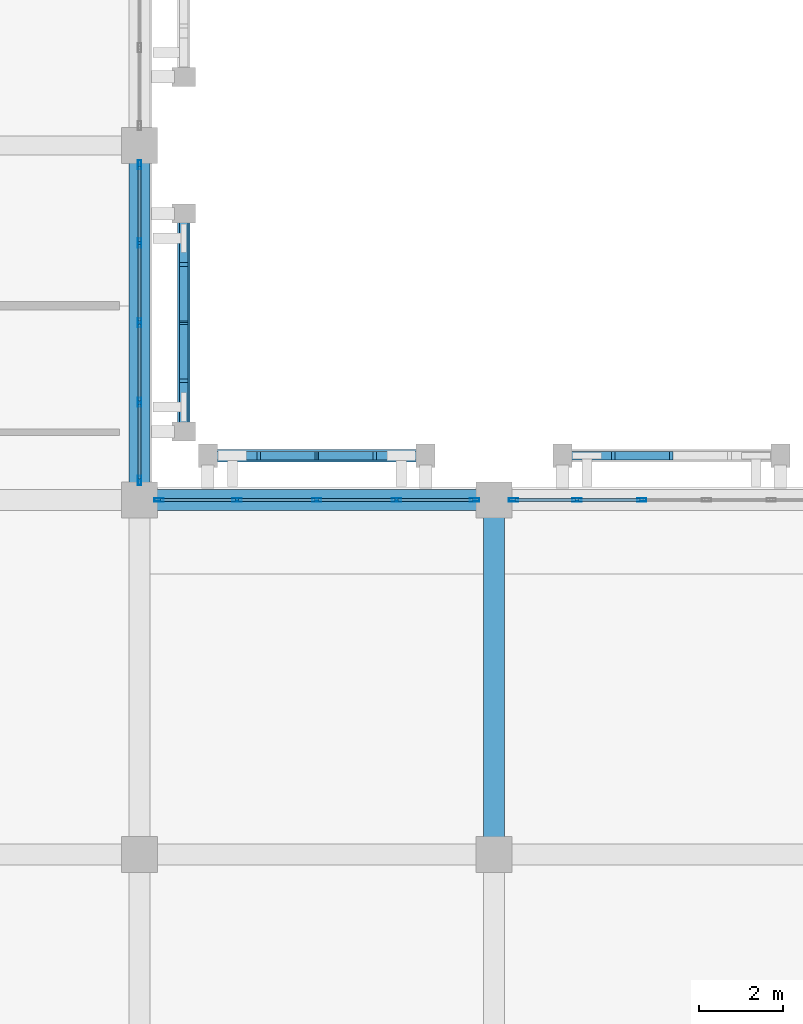
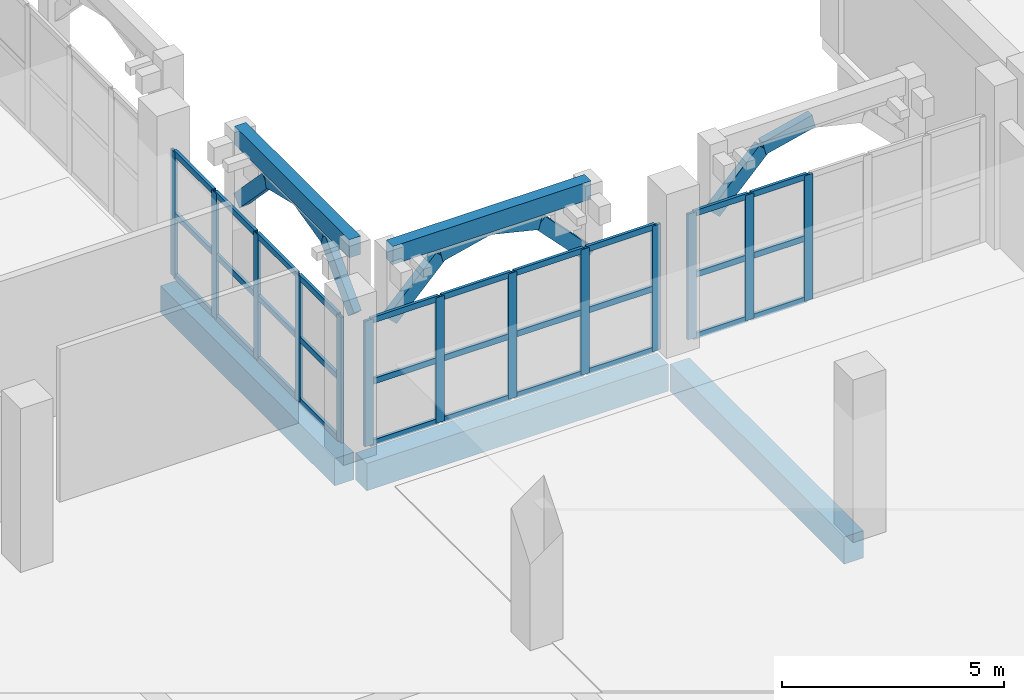
# One storey, part 50 of 129: 53 members, 5 beams, 3 elements without a shape of their own.
"""IFC4 building model written with IfcOpenShell, lengths in metres."""

from ifc_helpers import new_model, si_unit, direction, frame, origin, origin_2d, place, context, subcontext, project, spatial, rectangle, hollow_rectangle, extrude, material, layer, layer_set, material_profile, profile_set, type_object, element, aggregate, save


model = new_model("IFC4")

# Units and contexts
model_context = context("Model", 3, precision=1e-05, world=origin(), true_north=direction((0.0, 1.0)))
body_context = subcontext(model_context, "Body", "Model", "MODEL_VIEW")
ifc_project = project(units=[si_unit("LENGTHUNIT", "METRE"), si_unit("AREAUNIT", "SQUARE_METRE"), si_unit("VOLUMEUNIT", "CUBIC_METRE"), si_unit("PLANEANGLEUNIT", "RADIAN"), si_unit("MASSUNIT", "GRAM", prefix="KILO")], contexts=[model_context])

# Site, building, storey
site_placement = place(None, origin())
site = spatial("IfcSite", under=ifc_project, at=site_placement, CompositionType="ELEMENT")
building_placement = place(site_placement, origin())
building = spatial("IfcBuilding", under=site, at=building_placement, Name="Xazarin Passage Department Store", CompositionType="ELEMENT")
storey_placement = place(building_placement, frame((0.0, 0.0, 9.89990234375)))
storey = spatial("IfcBuildingStorey", under=building, at=storey_placement, Name="L02", CompositionType="ELEMENT", Elevation=9.89990234375)

# Curtain wall, members
ifc_material_1 = material(Name="Bronze anodised aluminium", Category="aluminium")
ifc_layer = layer(ifc_material_1, 0.199951171875)
ifc_layer_set = layer_set([ifc_layer], Name="Bronze anodised aluminium")
curtain_wall_type = type_object("IfcCurtainWallType", Name="ARC-CW-VIT2", PredefinedType="NOTDEFINED", material=ifc_layer_set)
curtain_wall_1_placement = place(storey_placement, origin())
curtain_wall_1 = element("IfcCurtainWall", 1, at=curtain_wall_1_placement, inside=storey, type_object=curtain_wall_type, Name="L02 V1 Curtain Wall 037", PredefinedType="NOTDEFINED")
ifc_material_profile_1 = material_profile(ifc_material_1, hollow_rectangle(XDim=0.074951171875, YDim=0.219970703125, WallThickness=0.0048828125, at=origin_2d()), Name="ALU 75x220")
ifc_profile_set_1 = profile_set([ifc_material_profile_1], Name="Bronze anodised aluminium")
member_type_1 = type_object("IfcMemberType", Name="ARC-CWM-75x220", PredefinedType="MULLION", material=ifc_profile_set_1)
member_1_placement = place(storey_placement, frame((50.862548828125, 84.800048828125, 0.0), z_axis=(0.0, 0.0, 1.0), x_axis=(0.0, 1.0, 0.0)))
member_1 = element("IfcMember", 2, at=member_1_placement, type_object=member_type_1, Name="CW2 mullion 1", PredefinedType="MULLION", context=body_context, shape_type="SweptSolid", body=[
    extrude(hollow_rectangle(XDim=0.074951171875, YDim=0.219970703125, WallThickness=0.0048828125, at=origin_2d()), origin(), (0.0, 0.0, 1.0), 3.4501953125),
])
member_2_placement = place(storey_placement, frame((52.71240234375, 84.800048828125, 0.0), z_axis=(0.0, 0.0, 1.0), x_axis=(0.0, 1.0, 0.0)))
member_2 = element("IfcMember", 3, at=member_2_placement, type_object=member_type_1, Name="CW2 mullion 2", PredefinedType="MULLION", context=body_context, shape_type="SweptSolid", body=[
    extrude(hollow_rectangle(XDim=0.074951171875, YDim=0.219970703125, WallThickness=0.0048828125, at=origin_2d()), origin(), (0.0, 0.0, 1.0), 3.4501953125),
])
member_3_placement = place(storey_placement, frame((54.60009765625, 84.800048828125, 0.0), z_axis=(0.0, 0.0, 1.0), x_axis=(0.0, 1.0, 0.0)))
member_3 = element("IfcMember", 4, at=member_3_placement, type_object=member_type_1, Name="CW2 mullion 3", PredefinedType="MULLION", context=body_context, shape_type="SweptSolid", body=[
    extrude(hollow_rectangle(XDim=0.074951171875, YDim=0.219970703125, WallThickness=0.0048828125, at=origin_2d()), origin(), (0.0, 0.0, 1.0), 3.4501953125),
])
member_4_placement = place(storey_placement, frame((56.487548828125, 84.800048828125, 0.0), z_axis=(0.0, 0.0, 1.0), x_axis=(0.0, 1.0, 0.0)))
member_4 = element("IfcMember", 5, at=member_4_placement, type_object=member_type_1, Name="CW2 mullion 4", PredefinedType="MULLION", context=body_context, shape_type="SweptSolid", body=[
    extrude(hollow_rectangle(XDim=0.074951171875, YDim=0.219970703125, WallThickness=0.0048828125, at=origin_2d()), origin(), (0.0, 0.0, 1.0), 3.4501953125),
])
member_5_placement = place(storey_placement, frame((58.33740234375, 84.800048828125, 0.0), z_axis=(0.0, 0.0, 1.0), x_axis=(0.0, 1.0, 0.0)))
member_5 = element("IfcMember", 6, at=member_5_placement, type_object=member_type_1, Name="CW2 mullion 5", PredefinedType="MULLION", context=body_context, shape_type="SweptSolid", body=[
    extrude(hollow_rectangle(XDim=0.074951171875, YDim=0.219970703125, WallThickness=0.0048828125, at=origin_2d()), origin(), (0.0, 0.0, 1.0), 3.4501953125),
])

curtain_wall_2_placement = place(storey_placement, origin())
curtain_wall_2 = element("IfcCurtainWall", 7, at=curtain_wall_2_placement, inside=storey, type_object=curtain_wall_type, Name="L02 V1 Curtain Wall 038", PredefinedType="NOTDEFINED")
member_6_placement = place(storey_placement, frame((59.262451171875, 84.800048828125, 0.0), z_axis=(0.0, 0.0, 1.0), x_axis=(0.0, 1.0, 0.0)))
member_6 = element("IfcMember", 8, at=member_6_placement, type_object=member_type_1, Name="CW2 mullion 1", PredefinedType="MULLION", context=body_context, shape_type="SweptSolid", body=[
    extrude(hollow_rectangle(XDim=0.074951171875, YDim=0.219970703125, WallThickness=0.0048828125, at=origin_2d()), origin(), (0.0, 0.0, 1.0), 3.4501953125),
])
member_7_placement = place(storey_placement, frame((60.760009765625, 84.800048828125, 0.0), z_axis=(0.0, 0.0, 1.0), x_axis=(0.0, 1.0, 0.0)))
member_7 = element("IfcMember", 9, at=member_7_placement, type_object=member_type_1, Name="CW2 mullion 2", PredefinedType="MULLION", context=body_context, shape_type="SweptSolid", body=[
    extrude(hollow_rectangle(XDim=0.074951171875, YDim=0.219970703125, WallThickness=0.0048828125, at=origin_2d()), origin(), (0.0, 0.0, 1.0), 3.4501953125),
])
member_8_placement = place(storey_placement, frame((62.294921875, 84.800048828125, 0.0), z_axis=(0.0, 0.0, 1.0), x_axis=(0.0, 1.0, 0.0)))
member_8 = element("IfcMember", 10, at=member_8_placement, type_object=member_type_1, Name="CW2 mullion 3", PredefinedType="MULLION", context=body_context, shape_type="SweptSolid", body=[
    extrude(hollow_rectangle(XDim=0.074951171875, YDim=0.219970703125, WallThickness=0.0048828125, at=origin_2d()), origin(), (0.0, 0.0, 1.0), 3.4501953125),
])

curtain_wall_3_placement = place(storey_placement, origin())
curtain_wall_3 = element("IfcCurtainWall", 11, at=curtain_wall_3_placement, inside=storey, type_object=curtain_wall_type, Name="L02 V1 Curtain Wall 052", PredefinedType="NOTDEFINED")
member_9_placement = place(storey_placement, frame((50.39990234375, 85.262451171875, 0.0), z_axis=(0.0, 0.0, 1.0), x_axis=(-1.0, 0.0, 0.0)))
member_9 = element("IfcMember", 12, at=member_9_placement, type_object=member_type_1, Name="CW2 mullion 1", PredefinedType="MULLION", context=body_context, shape_type="SweptSolid", body=[
    extrude(hollow_rectangle(XDim=0.074951171875, YDim=0.219970703125, WallThickness=0.0048828125, at=origin_2d()), origin(), (0.0, 0.0, 1.0), 3.4501953125),
])
member_10_placement = place(storey_placement, frame((50.39990234375, 87.112548828125, 0.0), z_axis=(0.0, 0.0, 1.0), x_axis=(-1.0, 0.0, 0.0)))
member_10 = element("IfcMember", 13, at=member_10_placement, type_object=member_type_1, Name="CW2 mullion 2", PredefinedType="MULLION", context=body_context, shape_type="SweptSolid", body=[
    extrude(hollow_rectangle(XDim=0.074951171875, YDim=0.219970703125, WallThickness=0.0048828125, at=origin_2d()), origin(), (0.0, 0.0, 1.0), 3.4501953125),
])
member_11_placement = place(storey_placement, frame((50.39990234375, 89.0, 0.0), z_axis=(0.0, 0.0, 1.0), x_axis=(-1.0, 0.0, 0.0)))
member_11 = element("IfcMember", 14, at=member_11_placement, type_object=member_type_1, Name="CW2 mullion 3", PredefinedType="MULLION", context=body_context, shape_type="SweptSolid", body=[
    extrude(hollow_rectangle(XDim=0.074951171875, YDim=0.219970703125, WallThickness=0.0048828125, at=origin_2d()), origin(), (0.0, 0.0, 1.0), 3.4501953125),
])
member_12_placement = place(storey_placement, frame((50.39990234375, 90.887451171875, 0.0), z_axis=(0.0, 0.0, 1.0), x_axis=(-1.0, 0.0, 0.0)))
member_12 = element("IfcMember", 15, at=member_12_placement, type_object=member_type_1, Name="CW2 mullion 4", PredefinedType="MULLION", context=body_context, shape_type="SweptSolid", body=[
    extrude(hollow_rectangle(XDim=0.074951171875, YDim=0.219970703125, WallThickness=0.0048828125, at=origin_2d()), origin(), (0.0, 0.0, 1.0), 3.4501953125),
])
member_13_placement = place(storey_placement, frame((50.39990234375, 92.737548828125, 0.0), z_axis=(0.0, 0.0, 1.0), x_axis=(-1.0, 0.0, 0.0)))
member_13 = element("IfcMember", 16, at=member_13_placement, type_object=member_type_1, Name="CW2 mullion 5", PredefinedType="MULLION", context=body_context, shape_type="SweptSolid", body=[
    extrude(hollow_rectangle(XDim=0.074951171875, YDim=0.219970703125, WallThickness=0.0048828125, at=origin_2d()), origin(), (0.0, 0.0, 1.0), 3.4501953125),
])

# Member
ifc_material_profile_2 = material_profile(ifc_material_1, hollow_rectangle(XDim=0.074951171875, YDim=0.159912109375, WallThickness=0.00439453125, at=origin_2d()), Name="ALU 75x160")
ifc_profile_set_2 = profile_set([ifc_material_profile_2], Name="Bronze anodised aluminium")
member_type_2 = type_object("IfcMemberType", Name="ARC-CWT-75x160", PredefinedType="USERDEFINED", material=ifc_profile_set_2)
member_14_placement = place(storey_placement, frame((50.89990234375, 84.800048828125, 0.03759765625), z_axis=(1.0, 0.0, 0.0), x_axis=(0.0, 1.0, 0.0)))
member_14 = element("IfcMember", 17, at=member_14_placement, type_object=member_type_2, Name="CW2 transom 1.1", ObjectType="TRANSOM", PredefinedType="USERDEFINED", context=body_context, shape_type="SweptSolid", body=[
    extrude(hollow_rectangle(XDim=0.074951171875, YDim=0.159912109375, WallThickness=0.00439453125, at=origin_2d()), origin(), (0.0, 0.0, 1.0), 1.775146484375),
])

member_15_placement = place(storey_placement, frame((50.89990234375, 84.800048828125, 1.72509765625), z_axis=(1.0, 0.0, 0.0), x_axis=(0.0, 1.0, 0.0)))
member_15 = element("IfcMember", 18, at=member_15_placement, type_object=member_type_2, Name="CW2 transom 1.2", ObjectType="TRANSOM", PredefinedType="USERDEFINED", context=body_context, shape_type="SweptSolid", body=[
    extrude(hollow_rectangle(XDim=0.074951171875, YDim=0.159912109375, WallThickness=0.00439453125, at=origin_2d()), origin(), (0.0, 0.0, 1.0), 1.775146484375),
])

member_16_placement = place(storey_placement, frame((50.89990234375, 84.800048828125, 3.41259765625), z_axis=(1.0, 0.0, 0.0), x_axis=(0.0, 1.0, 0.0)))
member_16 = element("IfcMember", 19, at=member_16_placement, type_object=member_type_2, Name="CW2 transom 1.3", ObjectType="TRANSOM", PredefinedType="USERDEFINED", context=body_context, shape_type="SweptSolid", body=[
    extrude(hollow_rectangle(XDim=0.074951171875, YDim=0.159912109375, WallThickness=0.00439453125, at=origin_2d()), origin(), (0.0, 0.0, 1.0), 1.775146484375),
])

member_17_placement = place(storey_placement, frame((52.75, 84.800048828125, 0.03759765625), z_axis=(1.0, 0.0, 0.0), x_axis=(0.0, 1.0, 0.0)))
member_17 = element("IfcMember", 20, at=member_17_placement, type_object=member_type_2, Name="CW2 transom 2.1", ObjectType="TRANSOM", PredefinedType="USERDEFINED", context=body_context, shape_type="SweptSolid", body=[
    extrude(hollow_rectangle(XDim=0.074951171875, YDim=0.159912109375, WallThickness=0.00439453125, at=origin_2d()), origin(), (0.0, 0.0, 1.0), 1.8125),
])

member_18_placement = place(storey_placement, frame((52.75, 84.800048828125, 1.72509765625), z_axis=(1.0, 0.0, 0.0), x_axis=(0.0, 1.0, 0.0)))
member_18 = element("IfcMember", 21, at=member_18_placement, type_object=member_type_2, Name="CW2 transom 2.2", ObjectType="TRANSOM", PredefinedType="USERDEFINED", context=body_context, shape_type="SweptSolid", body=[
    extrude(hollow_rectangle(XDim=0.074951171875, YDim=0.159912109375, WallThickness=0.00439453125, at=origin_2d()), origin(), (0.0, 0.0, 1.0), 1.8125),
])

member_19_placement = place(storey_placement, frame((52.75, 84.800048828125, 3.41259765625), z_axis=(1.0, 0.0, 0.0), x_axis=(0.0, 1.0, 0.0)))
member_19 = element("IfcMember", 22, at=member_19_placement, type_object=member_type_2, Name="CW2 transom 2.3", ObjectType="TRANSOM", PredefinedType="USERDEFINED", context=body_context, shape_type="SweptSolid", body=[
    extrude(hollow_rectangle(XDim=0.074951171875, YDim=0.159912109375, WallThickness=0.00439453125, at=origin_2d()), origin(), (0.0, 0.0, 1.0), 1.8125),
])

member_20_placement = place(storey_placement, frame((54.637451171875, 84.800048828125, 0.03759765625), z_axis=(1.0, 0.0, 0.0), x_axis=(0.0, 1.0, 0.0)))
member_20 = element("IfcMember", 23, at=member_20_placement, type_object=member_type_2, Name="CW2 transom 3.1", ObjectType="TRANSOM", PredefinedType="USERDEFINED", context=body_context, shape_type="SweptSolid", body=[
    extrude(hollow_rectangle(XDim=0.074951171875, YDim=0.159912109375, WallThickness=0.00439453125, at=origin_2d()), origin(), (0.0, 0.0, 1.0), 1.8125),
])

member_21_placement = place(storey_placement, frame((54.637451171875, 84.800048828125, 1.72509765625), z_axis=(1.0, 0.0, 0.0), x_axis=(0.0, 1.0, 0.0)))
member_21 = element("IfcMember", 24, at=member_21_placement, type_object=member_type_2, Name="CW2 transom 3.2", ObjectType="TRANSOM", PredefinedType="USERDEFINED", context=body_context, shape_type="SweptSolid", body=[
    extrude(hollow_rectangle(XDim=0.074951171875, YDim=0.159912109375, WallThickness=0.00439453125, at=origin_2d()), origin(), (0.0, 0.0, 1.0), 1.8125),
])

member_22_placement = place(storey_placement, frame((54.637451171875, 84.800048828125, 3.41259765625), z_axis=(1.0, 0.0, 0.0), x_axis=(0.0, 1.0, 0.0)))
member_22 = element("IfcMember", 25, at=member_22_placement, type_object=member_type_2, Name="CW2 transom 3.3", ObjectType="TRANSOM", PredefinedType="USERDEFINED", context=body_context, shape_type="SweptSolid", body=[
    extrude(hollow_rectangle(XDim=0.074951171875, YDim=0.159912109375, WallThickness=0.00439453125, at=origin_2d()), origin(), (0.0, 0.0, 1.0), 1.8125),
])

member_23_placement = place(storey_placement, frame((56.52490234375, 84.800048828125, 0.03759765625), z_axis=(1.0, 0.0, 0.0), x_axis=(0.0, 1.0, 0.0)))
member_23 = element("IfcMember", 26, at=member_23_placement, type_object=member_type_2, Name="CW2 transom 4.1", ObjectType="TRANSOM", PredefinedType="USERDEFINED", context=body_context, shape_type="SweptSolid", body=[
    extrude(hollow_rectangle(XDim=0.074951171875, YDim=0.159912109375, WallThickness=0.00439453125, at=origin_2d()), origin(), (0.0, 0.0, 1.0), 1.775146484375),
])

member_24_placement = place(storey_placement, frame((56.52490234375, 84.800048828125, 1.72509765625), z_axis=(1.0, 0.0, 0.0), x_axis=(0.0, 1.0, 0.0)))
member_24 = element("IfcMember", 27, at=member_24_placement, type_object=member_type_2, Name="CW2 transom 4.2", ObjectType="TRANSOM", PredefinedType="USERDEFINED", context=body_context, shape_type="SweptSolid", body=[
    extrude(hollow_rectangle(XDim=0.074951171875, YDim=0.159912109375, WallThickness=0.00439453125, at=origin_2d()), origin(), (0.0, 0.0, 1.0), 1.775146484375),
])

member_25_placement = place(storey_placement, frame((56.52490234375, 84.800048828125, 3.41259765625), z_axis=(1.0, 0.0, 0.0), x_axis=(0.0, 1.0, 0.0)))
member_25 = element("IfcMember", 28, at=member_25_placement, type_object=member_type_2, Name="CW2 transom 4.3", ObjectType="TRANSOM", PredefinedType="USERDEFINED", context=body_context, shape_type="SweptSolid", body=[
    extrude(hollow_rectangle(XDim=0.074951171875, YDim=0.159912109375, WallThickness=0.00439453125, at=origin_2d()), origin(), (0.0, 0.0, 1.0), 1.775146484375),
])

aggregate(curtain_wall_1, [member_1, member_2, member_3, member_4, member_5, member_14, member_15, member_16, member_17, member_18, member_19, member_20, member_21, member_22, member_23, member_24, member_25])

member_26_placement = place(storey_placement, frame((59.300048828125, 84.800048828125, 0.03759765625), z_axis=(1.0, 0.0, 0.0), x_axis=(0.0, 1.0, 0.0)))
member_26 = element("IfcMember", 29, at=member_26_placement, type_object=member_type_2, Name="CW2 transom 1.1", ObjectType="TRANSOM", PredefinedType="USERDEFINED", context=body_context, shape_type="SweptSolid", body=[
    extrude(hollow_rectangle(XDim=0.074951171875, YDim=0.159912109375, WallThickness=0.00439453125, at=origin_2d()), origin(), (0.0, 0.0, 1.0), 1.42236328125),
])

member_27_placement = place(storey_placement, frame((59.300048828125, 84.800048828125, 1.72509765625), z_axis=(1.0, 0.0, 0.0), x_axis=(0.0, 1.0, 0.0)))
member_27 = element("IfcMember", 30, at=member_27_placement, type_object=member_type_2, Name="CW2 transom 1.2", ObjectType="TRANSOM", PredefinedType="USERDEFINED", context=body_context, shape_type="SweptSolid", body=[
    extrude(hollow_rectangle(XDim=0.074951171875, YDim=0.159912109375, WallThickness=0.00439453125, at=origin_2d()), origin(), (0.0, 0.0, 1.0), 1.42236328125),
])

member_28_placement = place(storey_placement, frame((59.300048828125, 84.800048828125, 3.41259765625), z_axis=(1.0, 0.0, 0.0), x_axis=(0.0, 1.0, 0.0)))
member_28 = element("IfcMember", 31, at=member_28_placement, type_object=member_type_2, Name="CW2 transom 1.3", ObjectType="TRANSOM", PredefinedType="USERDEFINED", context=body_context, shape_type="SweptSolid", body=[
    extrude(hollow_rectangle(XDim=0.074951171875, YDim=0.159912109375, WallThickness=0.00439453125, at=origin_2d()), origin(), (0.0, 0.0, 1.0), 1.42236328125),
])

member_29_placement = place(storey_placement, frame((60.797607421875, 84.800048828125, 0.03759765625), z_axis=(1.0, 0.0, 0.0), x_axis=(0.0, 1.0, 0.0)))
member_29 = element("IfcMember", 32, at=member_29_placement, type_object=member_type_2, Name="CW2 transom 2.1", ObjectType="TRANSOM", PredefinedType="USERDEFINED", context=body_context, shape_type="SweptSolid", body=[
    extrude(hollow_rectangle(XDim=0.074951171875, YDim=0.159912109375, WallThickness=0.00439453125, at=origin_2d()), origin(), (0.0, 0.0, 1.0), 1.4599609375),
])

member_30_placement = place(storey_placement, frame((60.797607421875, 84.800048828125, 1.72509765625), z_axis=(1.0, 0.0, 0.0), x_axis=(0.0, 1.0, 0.0)))
member_30 = element("IfcMember", 33, at=member_30_placement, type_object=member_type_2, Name="CW2 transom 2.2", ObjectType="TRANSOM", PredefinedType="USERDEFINED", context=body_context, shape_type="SweptSolid", body=[
    extrude(hollow_rectangle(XDim=0.074951171875, YDim=0.159912109375, WallThickness=0.00439453125, at=origin_2d()), origin(), (0.0, 0.0, 1.0), 1.4599609375),
])

member_31_placement = place(storey_placement, frame((60.797607421875, 84.800048828125, 3.41259765625), z_axis=(1.0, 0.0, 0.0), x_axis=(0.0, 1.0, 0.0)))
member_31 = element("IfcMember", 34, at=member_31_placement, type_object=member_type_2, Name="CW2 transom 2.3", ObjectType="TRANSOM", PredefinedType="USERDEFINED", context=body_context, shape_type="SweptSolid", body=[
    extrude(hollow_rectangle(XDim=0.074951171875, YDim=0.159912109375, WallThickness=0.00439453125, at=origin_2d()), origin(), (0.0, 0.0, 1.0), 1.4599609375),
])

aggregate(curtain_wall_2, [member_6, member_7, member_8, member_26, member_27, member_28, member_29, member_30, member_31])

member_32_placement = place(storey_placement, frame((50.39990234375, 85.300048828125, 0.03759765625), z_axis=(0.0, 1.0, 0.0), x_axis=(-1.0, 0.0, 0.0)))
member_32 = element("IfcMember", 35, at=member_32_placement, type_object=member_type_2, Name="CW2 transom 1.1", ObjectType="TRANSOM", PredefinedType="USERDEFINED", context=body_context, shape_type="SweptSolid", body=[
    extrude(hollow_rectangle(XDim=0.074951171875, YDim=0.159912109375, WallThickness=0.00439453125, at=origin_2d()), origin(), (0.0, 0.0, 1.0), 1.77490234375),
])

member_33_placement = place(storey_placement, frame((50.39990234375, 85.300048828125, 1.72509765625), z_axis=(0.0, 1.0, 0.0), x_axis=(-1.0, 0.0, 0.0)))
member_33 = element("IfcMember", 36, at=member_33_placement, type_object=member_type_2, Name="CW2 transom 1.2", ObjectType="TRANSOM", PredefinedType="USERDEFINED", context=body_context, shape_type="SweptSolid", body=[
    extrude(hollow_rectangle(XDim=0.074951171875, YDim=0.159912109375, WallThickness=0.00439453125, at=origin_2d()), origin(), (0.0, 0.0, 1.0), 1.77490234375),
])

member_34_placement = place(storey_placement, frame((50.39990234375, 85.300048828125, 3.41259765625), z_axis=(0.0, 1.0, 0.0), x_axis=(-1.0, 0.0, 0.0)))
member_34 = element("IfcMember", 37, at=member_34_placement, type_object=member_type_2, Name="CW2 transom 1.3", ObjectType="TRANSOM", PredefinedType="USERDEFINED", context=body_context, shape_type="SweptSolid", body=[
    extrude(hollow_rectangle(XDim=0.074951171875, YDim=0.159912109375, WallThickness=0.00439453125, at=origin_2d()), origin(), (0.0, 0.0, 1.0), 1.77490234375),
])

member_35_placement = place(storey_placement, frame((50.39990234375, 87.14990234375, 0.03759765625), z_axis=(0.0, 1.0, 0.0), x_axis=(-1.0, 0.0, 0.0)))
member_35 = element("IfcMember", 38, at=member_35_placement, type_object=member_type_2, Name="CW2 transom 2.1", ObjectType="TRANSOM", PredefinedType="USERDEFINED", context=body_context, shape_type="SweptSolid", body=[
    extrude(hollow_rectangle(XDim=0.074951171875, YDim=0.159912109375, WallThickness=0.00439453125, at=origin_2d()), origin(), (0.0, 0.0, 1.0), 1.8125),
])

member_36_placement = place(storey_placement, frame((50.39990234375, 87.14990234375, 1.72509765625), z_axis=(0.0, 1.0, 0.0), x_axis=(-1.0, 0.0, 0.0)))
member_36 = element("IfcMember", 39, at=member_36_placement, type_object=member_type_2, Name="CW2 transom 2.2", ObjectType="TRANSOM", PredefinedType="USERDEFINED", context=body_context, shape_type="SweptSolid", body=[
    extrude(hollow_rectangle(XDim=0.074951171875, YDim=0.159912109375, WallThickness=0.00439453125, at=origin_2d()), origin(), (0.0, 0.0, 1.0), 1.8125),
])

member_37_placement = place(storey_placement, frame((50.39990234375, 87.14990234375, 3.41259765625), z_axis=(0.0, 1.0, 0.0), x_axis=(-1.0, 0.0, 0.0)))
member_37 = element("IfcMember", 40, at=member_37_placement, type_object=member_type_2, Name="CW2 transom 2.3", ObjectType="TRANSOM", PredefinedType="USERDEFINED", context=body_context, shape_type="SweptSolid", body=[
    extrude(hollow_rectangle(XDim=0.074951171875, YDim=0.159912109375, WallThickness=0.00439453125, at=origin_2d()), origin(), (0.0, 0.0, 1.0), 1.8125),
])

member_38_placement = place(storey_placement, frame((50.39990234375, 89.03759765625, 0.03759765625), z_axis=(0.0, 1.0, 0.0), x_axis=(-1.0, 0.0, 0.0)))
member_38 = element("IfcMember", 41, at=member_38_placement, type_object=member_type_2, Name="CW2 transom 3.1", ObjectType="TRANSOM", PredefinedType="USERDEFINED", context=body_context, shape_type="SweptSolid", body=[
    extrude(hollow_rectangle(XDim=0.074951171875, YDim=0.159912109375, WallThickness=0.00439453125, at=origin_2d()), origin(), (0.0, 0.0, 1.0), 1.8125),
])

member_39_placement = place(storey_placement, frame((50.39990234375, 89.03759765625, 1.72509765625), z_axis=(0.0, 1.0, 0.0), x_axis=(-1.0, 0.0, 0.0)))
member_39 = element("IfcMember", 42, at=member_39_placement, type_object=member_type_2, Name="CW2 transom 3.2", ObjectType="TRANSOM", PredefinedType="USERDEFINED", context=body_context, shape_type="SweptSolid", body=[
    extrude(hollow_rectangle(XDim=0.074951171875, YDim=0.159912109375, WallThickness=0.00439453125, at=origin_2d()), origin(), (0.0, 0.0, 1.0), 1.8125),
])

member_40_placement = place(storey_placement, frame((50.39990234375, 89.03759765625, 3.41259765625), z_axis=(0.0, 1.0, 0.0), x_axis=(-1.0, 0.0, 0.0)))
member_40 = element("IfcMember", 43, at=member_40_placement, type_object=member_type_2, Name="CW2 transom 3.3", ObjectType="TRANSOM", PredefinedType="USERDEFINED", context=body_context, shape_type="SweptSolid", body=[
    extrude(hollow_rectangle(XDim=0.074951171875, YDim=0.159912109375, WallThickness=0.00439453125, at=origin_2d()), origin(), (0.0, 0.0, 1.0), 1.8125),
])

member_41_placement = place(storey_placement, frame((50.39990234375, 90.925048828125, 0.03759765625), z_axis=(0.0, 1.0, 0.0), x_axis=(-1.0, 0.0, 0.0)))
member_41 = element("IfcMember", 44, at=member_41_placement, type_object=member_type_2, Name="CW2 transom 4.1", ObjectType="TRANSOM", PredefinedType="USERDEFINED", context=body_context, shape_type="SweptSolid", body=[
    extrude(hollow_rectangle(XDim=0.074951171875, YDim=0.159912109375, WallThickness=0.00439453125, at=origin_2d()), origin(), (0.0, 0.0, 1.0), 1.77490234375),
])

member_42_placement = place(storey_placement, frame((50.39990234375, 90.925048828125, 1.72509765625), z_axis=(0.0, 1.0, 0.0), x_axis=(-1.0, 0.0, 0.0)))
member_42 = element("IfcMember", 45, at=member_42_placement, type_object=member_type_2, Name="CW2 transom 4.2", ObjectType="TRANSOM", PredefinedType="USERDEFINED", context=body_context, shape_type="SweptSolid", body=[
    extrude(hollow_rectangle(XDim=0.074951171875, YDim=0.159912109375, WallThickness=0.00439453125, at=origin_2d()), origin(), (0.0, 0.0, 1.0), 1.77490234375),
])

member_43_placement = place(storey_placement, frame((50.39990234375, 90.925048828125, 3.41259765625), z_axis=(0.0, 1.0, 0.0), x_axis=(-1.0, 0.0, 0.0)))
member_43 = element("IfcMember", 46, at=member_43_placement, type_object=member_type_2, Name="CW2 transom 4.3", ObjectType="TRANSOM", PredefinedType="USERDEFINED", context=body_context, shape_type="SweptSolid", body=[
    extrude(hollow_rectangle(XDim=0.074951171875, YDim=0.159912109375, WallThickness=0.00439453125, at=origin_2d()), origin(), (0.0, 0.0, 1.0), 1.77490234375),
])

aggregate(curtain_wall_3, [member_9, member_10, member_11, member_12, member_13, member_32, member_33, member_34, member_35, member_36, member_37, member_38, member_39, member_40, member_41, member_42, member_43])

# Beams
ifc_material_2 = material(Name="Concrete C35/45", Category="concrete")
ifc_material_profile_3 = material_profile(ifc_material_2, rectangle(XDim=0.300048828125, YDim=0.5, at=origin_2d()), Name="RC 300x500")
ifc_profile_set_3 = profile_set([ifc_material_profile_3], Name="Concrete C35/45")
beam_type_1 = type_object("IfcBeamType", Name="STR-BM-LN300x500", PredefinedType="LINTEL", material=ifc_profile_set_3)
beam_1_placement = place(storey_placement, frame((52.02001953125, 85.85009765625, 4.25), z_axis=(1.0, 0.0, 0.0), x_axis=(0.0, 1.0, 0.0)))
element("IfcBeam", 47, at=beam_1_placement, inside=storey, type_object=beam_type_1, Name="L02 V1 Colonnade Spandrel Beam 005", PredefinedType="LINTEL", context=body_context, shape_type="SweptSolid", body=[
    extrude(rectangle(XDim=0.300048828125, YDim=0.5, at=origin_2d()), origin(), (0.0, 0.0, 1.0), 5.159912109375),
])
beam_2_placement = place(storey_placement, frame((51.449951171875, 86.419921875, 4.25), z_axis=(0.0, 1.0, 0.0), x_axis=(-1.0, 0.0, 0.0)))
element("IfcBeam", 48, at=beam_2_placement, inside=storey, type_object=beam_type_1, Name="L02 V1 Colonnade Spandrel Beam 014", PredefinedType="LINTEL", context=body_context, shape_type="SweptSolid", body=[
    extrude(rectangle(XDim=0.300048828125, YDim=0.5, at=origin_2d()), origin(), (0.0, 0.0, 1.0), 5.16015625),
])
ifc_material_profile_4 = material_profile(ifc_material_2, rectangle(XDim=0.5, YDim=0.75, at=origin_2d()), Name="RC 500x750")
ifc_profile_set_4 = profile_set([ifc_material_profile_4], Name="Concrete C35/45")
beam_type_2 = type_object("IfcBeamType", Name="STR-BM-SP500x750", PredefinedType="SPANDREL", material=ifc_profile_set_4)
beam_3_placement = place(storey_placement, frame((50.679931640625, 84.800048828125, -0.6748046875), z_axis=(1.0, 0.0, 0.0), x_axis=(0.0, 1.0, 0.0)))
element("IfcBeam", 49, at=beam_3_placement, inside=storey, type_object=beam_type_2, Name="L02 Grid Beam M/7-8", PredefinedType="SPANDREL", context=body_context, shape_type="SweptSolid", body=[
    extrude(rectangle(XDim=0.5, YDim=0.75, at=origin_2d()), origin(), (0.0, 0.0, 1.0), 7.840087890625),
])
beam_4_placement = place(storey_placement, frame((50.39990234375, 85.080078125, -0.6748046875), z_axis=(0.0, 1.0, 0.0), x_axis=(-1.0, 0.0, 0.0)))
element("IfcBeam", 50, at=beam_4_placement, inside=storey, type_object=beam_type_2, Name="L02 Grid Beam 7/M-N", PredefinedType="SPANDREL", context=body_context, shape_type="SweptSolid", body=[
    extrude(rectangle(XDim=0.5, YDim=0.75, at=origin_2d()), origin(), (0.0, 0.0, 1.0), 7.83984375),
])
beam_5_placement = place(storey_placement, frame((58.800048828125, 76.679931640625, -0.6748046875), z_axis=(0.0, 1.0, 0.0), x_axis=(-1.0, 0.0, 0.0)))
element("IfcBeam", 51, at=beam_5_placement, inside=storey, type_object=beam_type_2, Name="L02 Grid Beam 8/L-M", PredefinedType="SPANDREL", context=body_context, shape_type="SweptSolid", body=[
    extrude(rectangle(XDim=0.5, YDim=0.75, at=origin_2d()), origin(), (0.0, 0.0, 1.0), 7.840087890625),
])

# Members
ifc_material_3 = material(Name="Concrete C40/50", Category="concrete")
ifc_material_profile_5 = material_profile(ifc_material_3, rectangle(XDim=0.199951171875, YDim=0.360107421875, at=origin_2d()), Name="RC 200x360")
ifc_profile_set_5 = profile_set([ifc_material_profile_5], Name="Concrete C40/50")
member_type_3 = type_object("IfcMemberType", Name="STR-MEM-ARC360", PredefinedType="CHORD", material=ifc_profile_set_5)
member_44_placement = place(storey_placement, frame((52.02001953125, 85.85009765625, 2.43017578125), z_axis=(0.693460080602, 0.0, 0.720495049679), x_axis=(0.0, 1.0, 0.0)))
element("IfcMember", 52, at=member_44_placement, inside=storey, type_object=member_type_3, Name="L02 V1 Pierced Lattice Curved Arch 005.1", PredefinedType="CHORD", context=body_context, shape_type="SweptSolid", body=[
    extrude(rectangle(XDim=0.199951171875, YDim=0.360107421875, at=origin_2d()), origin(), (0.0, 0.0, 1.0), 1.8603515625),
])
member_45_placement = place(storey_placement, frame((53.31005859375, 85.85009765625, 3.7705078125), z_axis=(0.972393983317, 0.0, 0.233345111818), x_axis=(0.0, 1.0, 0.0)))
element("IfcMember", 53, at=member_45_placement, inside=storey, type_object=member_type_3, Name="L02 V1 Pierced Lattice Curved Arch 005.2", PredefinedType="CHORD", context=body_context, shape_type="SweptSolid", body=[
    extrude(rectangle(XDim=0.199951171875, YDim=0.360107421875, at=origin_2d()), origin(), (0.0, 0.0, 1.0), 1.32666015625),
])
member_46_placement = place(storey_placement, frame((54.60009765625, 85.85009765625, 4.080078125), z_axis=(0.972383960415, 0.0, -0.233386875224), x_axis=(0.0, 1.0, 0.0)))
element("IfcMember", 54, at=member_46_placement, inside=storey, type_object=member_type_3, Name="L02 V1 Pierced Lattice Curved Arch 005.3", PredefinedType="CHORD", context=body_context, shape_type="SweptSolid", body=[
    extrude(rectangle(XDim=0.199951171875, YDim=0.360107421875, at=origin_2d()), origin(), (0.0, 0.0, 1.0), 1.326416015625),
])
for number, where, z_axis, x_axis, name in (
    (55, (55.889892578125, 85.85009765625, 3.7705078125), (0.693460080602, 0.0, -0.720495049679), (0.0, 1.0, 0.0), "L02 V1 Pierced Lattice Curved Arch 005.4"),
    (56, (60.419921875, 85.85009765625, 2.43017578125), (0.693460080602, 0.0, 0.720495049679), (0.0, 1.0, 0.0), "L02 V1 Pierced Lattice Curved Arch 007.1"),
):
    element("IfcMember", number, at=place(storey_placement, frame(where, z_axis=z_axis, x_axis=x_axis)), inside=storey, type_object=member_type_3, Name=name, PredefinedType="CHORD", context=body_context, shape_type="SweptSolid", body=[
        extrude(rectangle(XDim=0.199951171875, YDim=0.360107421875, at=origin_2d()), origin(), (0.0, 0.0, 1.0), 1.8603515625),
    ])
member_47_placement = place(storey_placement, frame((61.7099609375, 85.85009765625, 3.7705078125), z_axis=(0.972393983317, 0.0, 0.233345111818), x_axis=(0.0, 1.0, 0.0)))
element("IfcMember", 57, at=member_47_placement, inside=storey, type_object=member_type_3, Name="L02 V1 Pierced Lattice Curved Arch 007.2", PredefinedType="CHORD", context=body_context, shape_type="SweptSolid", body=[
    extrude(rectangle(XDim=0.199951171875, YDim=0.360107421875, at=origin_2d()), origin(), (0.0, 0.0, 1.0), 1.32666015625),
])
member_48_placement = place(storey_placement, frame((51.449951171875, 86.419921875, 2.43017578125), z_axis=(0.0, 0.693460080602, 0.720495049679), x_axis=(-1.0, 0.0, 0.0)))
element("IfcMember", 58, at=member_48_placement, inside=storey, type_object=member_type_3, Name="L02 V1 Pierced Lattice Curved Arch 014.1", PredefinedType="CHORD", context=body_context, shape_type="SweptSolid", body=[
    extrude(rectangle(XDim=0.199951171875, YDim=0.360107421875, at=origin_2d()), origin(), (0.0, 0.0, 1.0), 1.8603515625),
])
for number, where, z_axis, x_axis, name in (
    (59, (51.449951171875, 87.7099609375, 3.7705078125), (0.0, 0.972393983317, 0.233345111818), (-1.0, 0.0, 0.0), "L02 V1 Pierced Lattice Curved Arch 014.2"),
    (60, (51.449951171875, 89.0, 4.080078125), (0.0, 0.972393983317, -0.233345111818), (-1.0, 0.0, 0.0), "L02 V1 Pierced Lattice Curved Arch 014.3"),
):
    element("IfcMember", number, at=place(storey_placement, frame(where, z_axis=z_axis, x_axis=x_axis)), inside=storey, type_object=member_type_3, Name=name, PredefinedType="CHORD", context=body_context, shape_type="SweptSolid", body=[
        extrude(rectangle(XDim=0.199951171875, YDim=0.360107421875, at=origin_2d()), origin(), (0.0, 0.0, 1.0), 1.32666015625),
    ])
member_49_placement = place(storey_placement, frame((51.449951171875, 90.2900390625, 3.7705078125), z_axis=(0.0, 0.693460080602, -0.720495049679), x_axis=(-1.0, 0.0, 0.0)))
element("IfcMember", 61, at=member_49_placement, inside=storey, type_object=member_type_3, Name="L02 V1 Pierced Lattice Curved Arch 014.4", PredefinedType="CHORD", context=body_context, shape_type="SweptSolid", body=[
    extrude(rectangle(XDim=0.199951171875, YDim=0.360107421875, at=origin_2d()), origin(), (0.0, 0.0, 1.0), 1.8603515625),
])

save(model, "model.ifc")
